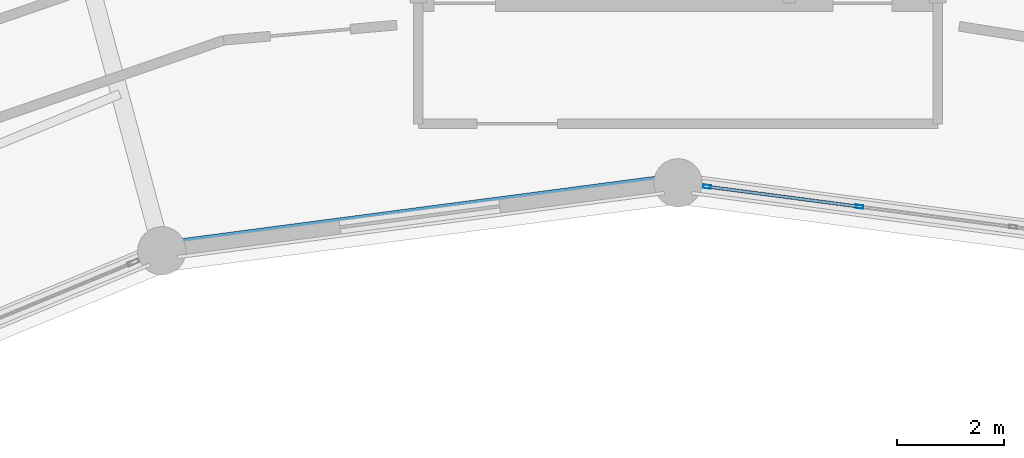
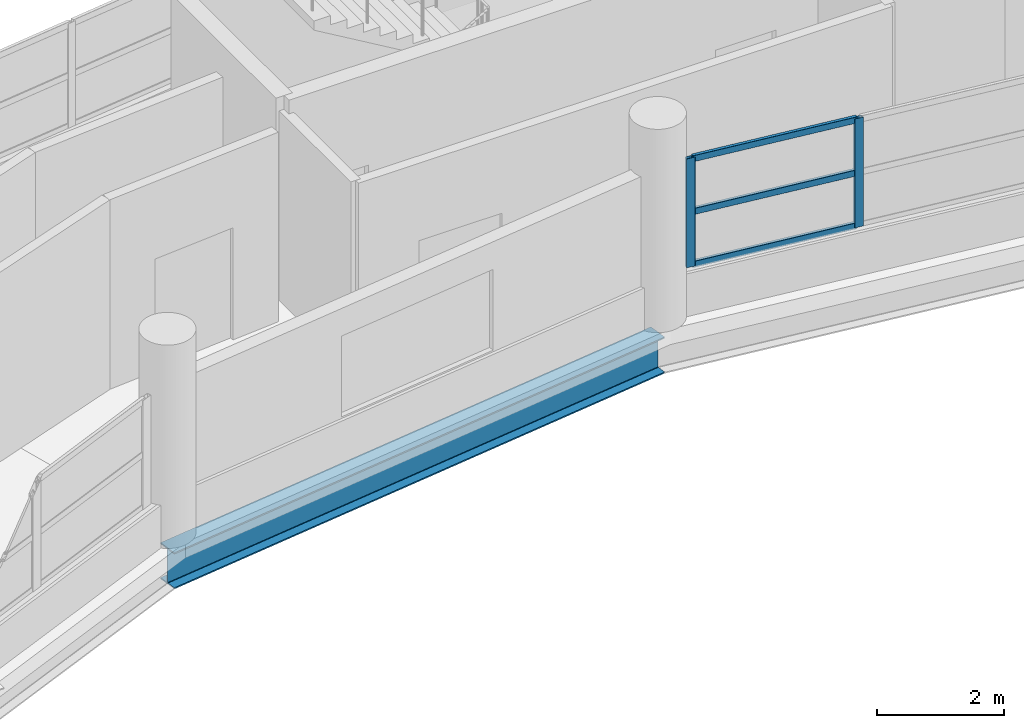
# One storey, part 50 of 88: 5 members, 1 beam, 1 element without a shape of its own.
"""IFC4 building model written with IfcOpenShell, lengths in metres."""

from ifc_helpers import new_model, si_unit, direction, frame, origin, origin_2d, place, context, subcontext, project, spatial, hollow_rectangle, i_section, extrude, material, layer, layer_set, material_profile, profile_set, type_object, element, aggregate, save


model = new_model("IFC4")

# Units and contexts
model_context = context("Model", 3, precision=1e-05, world=origin(), true_north=direction((0.0, 1.0)))
body_context = subcontext(model_context, "Body", "Model", "MODEL_VIEW")
ifc_project = project(units=[si_unit("LENGTHUNIT", "METRE"), si_unit("AREAUNIT", "SQUARE_METRE"), si_unit("VOLUMEUNIT", "CUBIC_METRE"), si_unit("PLANEANGLEUNIT", "RADIAN"), si_unit("MASSUNIT", "GRAM", prefix="KILO")], contexts=[model_context])

# Site, building, storey
site_placement = place(None, origin())
site = spatial("IfcSite", under=ifc_project, at=site_placement, CompositionType="ELEMENT")
building_placement = place(site_placement, origin())
building = spatial("IfcBuilding", under=site, at=building_placement, Name="Vespera Passage Community Centre", CompositionType="ELEMENT")
storey_placement = place(building_placement, frame((0.0, 0.0, 16.5)))
storey = spatial("IfcBuildingStorey", under=building, at=storey_placement, Name="L04", CompositionType="ELEMENT", Elevation=16.5)

# Beam
ifc_material_1 = material(Name="Steel ASTM A992 Grade 50", Category="steel")
ifc_material_profile_1 = material_profile(ifc_material_1, i_section(OverallWidth=0.3544921875, OverallDepth=0.695556640625, WebThickness=0.015380859375, FlangeThickness=0.024658203125, FilletRadius=0.01513671875, at=origin_2d()), Name="W27X146")
ifc_profile_set_1 = profile_set([ifc_material_profile_1], Name="Steel ASTM A992 Grade 50")
beam_type = type_object("IfcBeamType", Name="BM-SP-W27X146E", PredefinedType="SPANDREL", material=ifc_profile_set_1)
beam_placement = place(storey_placement, frame((78.0, 102.699951171875, -0.647705078125), z_axis=(-0.991444794834, -0.130526697639, 0.0), x_axis=(0.130526697639, -0.991444794834, 0.0)))
element("IfcBeam", 1, at=beam_placement, inside=storey, type_object=beam_type, Name="V4 L04 Inner Spandrel 6", PredefinedType="SPANDREL", context=body_context, shape_type="SweptSolid", body=[
    extrude(i_section(OverallWidth=0.3544921875, OverallDepth=0.695556640625, WebThickness=0.015380859375, FlangeThickness=0.024658203125, FilletRadius=0.01513671875, at=origin_2d()), origin(), (0.0, 0.0, 1.0), 9.711181640625),
])

# Curtain wall, members
ifc_material_2 = material(Name="Anodized aluminium 6063-T6", Category="aluminium")
ifc_layer = layer(ifc_material_2, 0.159912109375)
ifc_layer_set = layer_set([ifc_layer], Name="Anodized aluminium 6063-T6")
curtain_wall_type = type_object("IfcCurtainWallType", Name="CW-58E", PredefinedType="NOTDEFINED", material=ifc_layer_set)
curtain_wall_placement = place(storey_placement, origin())
curtain_wall = element("IfcCurtainWall", 2, at=curtain_wall_placement, inside=storey, type_object=curtain_wall_type, Name="V4 L04 Inner Court Curtain Wall 5", PredefinedType="NOTDEFINED")
ifc_material_3 = material(Name="Anodized aluminium 6063-T6", Category="aluminium")
ifc_material_profile_2 = material_profile(ifc_material_3, hollow_rectangle(XDim=0.06494140625, YDim=0.14990234375, WallThickness=0.00390625, InnerFilletRadius=0.001953125, OuterFilletRadius=0.00390625, at=origin_2d()), Name="ALU150X65X4")
ifc_profile_set_2 = profile_set([ifc_material_profile_2], Name="Anodized aluminium 6063-T6")
member_type_1 = type_object("IfcMemberType", Name="MB-CWM-150E", PredefinedType="MULLION", material=ifc_profile_set_2)
member_1_placement = place(storey_placement, frame((81.38037109375, 102.2548828125, 0.820068359375), z_axis=(0.0, 0.0, 1.0), x_axis=(-0.1305221941, -0.991445387728, 0.0)))
member_1 = element("IfcMember", 3, at=member_1_placement, type_object=member_type_1, Name="CW-58E mullion 3", PredefinedType="MULLION", context=body_context, shape_type="SweptSolid", body=[
    extrude(hollow_rectangle(XDim=0.06494140625, YDim=0.14990234375, WallThickness=0.00390625, InnerFilletRadius=0.001953125, OuterFilletRadius=0.00390625, at=origin_2d()), origin(), (0.0, 0.0, 1.0), 2.08935546875),
])
member_2_placement = place(storey_placement, frame((78.54541015625, 102.628173828125, 0.820068359375), z_axis=(0.0, 0.0, 1.0), x_axis=(-0.1305221941, -0.991445387728, 0.0)))
member_2 = element("IfcMember", 4, at=member_2_placement, type_object=member_type_1, Name="CW-58E mullion 4", PredefinedType="MULLION", context=body_context, shape_type="SweptSolid", body=[
    extrude(hollow_rectangle(XDim=0.06494140625, YDim=0.14990234375, WallThickness=0.00390625, InnerFilletRadius=0.001953125, OuterFilletRadius=0.00390625, at=origin_2d()), origin(), (0.0, 0.0, 1.0), 2.08935546875),
])
ifc_material_4 = material(Name="Anodized aluminium 6063-T6", Category="aluminium")
ifc_material_profile_3 = material_profile(ifc_material_4, hollow_rectangle(XDim=0.06005859375, YDim=0.1201171875, WallThickness=0.00390625, InnerFilletRadius=0.001953125, OuterFilletRadius=0.00390625, at=origin_2d()), Name="ALU120X60X4")
ifc_profile_set_3 = profile_set([ifc_material_profile_3], Name="Anodized aluminium 6063-T6")
member_type_2 = type_object("IfcMemberType", Name="MB-CWT-120E", PredefinedType="USERDEFINED", material=ifc_profile_set_3)
member_3_placement = place(storey_placement, frame((81.34814453125, 102.25927734375, 0.85009765625), z_axis=(-0.991444777059, 0.130526832651, 0.0), x_axis=(-0.130526832651, -0.991444777059, 0.0)))
member_3 = element("IfcMember", 5, at=member_3_placement, type_object=member_type_2, Name="CW-58E transom 3.1", ObjectType="TRANSOM", PredefinedType="USERDEFINED", context=body_context, shape_type="SweptSolid", body=[
    extrude(hollow_rectangle(XDim=0.06005859375, YDim=0.1201171875, WallThickness=0.00390625, InnerFilletRadius=0.001953125, OuterFilletRadius=0.00390625, at=origin_2d()), origin(), (0.0, 0.0, 1.0), 2.79443359375),
])
member_4_placement = place(storey_placement, frame((81.34814453125, 102.25927734375, 1.86474609375), z_axis=(-0.991444777059, 0.130526832651, 0.0), x_axis=(-0.130526832651, -0.991444777059, 0.0)))
member_4 = element("IfcMember", 6, at=member_4_placement, type_object=member_type_2, Name="CW-58E transom 3.2", ObjectType="TRANSOM", PredefinedType="USERDEFINED", context=body_context, shape_type="SweptSolid", body=[
    extrude(hollow_rectangle(XDim=0.06005859375, YDim=0.1201171875, WallThickness=0.00390625, InnerFilletRadius=0.001953125, OuterFilletRadius=0.00390625, at=origin_2d()), origin(), (0.0, 0.0, 1.0), 2.79443359375),
])
member_5_placement = place(storey_placement, frame((81.34814453125, 102.25927734375, 2.87939453125), z_axis=(-0.991444777059, 0.130526832651, 0.0), x_axis=(-0.130526832651, -0.991444777059, 0.0)))
member_5 = element("IfcMember", 7, at=member_5_placement, type_object=member_type_2, Name="CW-58E transom 3.3", ObjectType="TRANSOM", PredefinedType="USERDEFINED", context=body_context, shape_type="SweptSolid", body=[
    extrude(hollow_rectangle(XDim=0.06005859375, YDim=0.1201171875, WallThickness=0.00390625, InnerFilletRadius=0.001953125, OuterFilletRadius=0.00390625, at=origin_2d()), origin(), (0.0, 0.0, 1.0), 2.79443359375),
])
aggregate(curtain_wall, [member_1, member_2, member_3, member_4, member_5])

save(model, "model.ifc")
